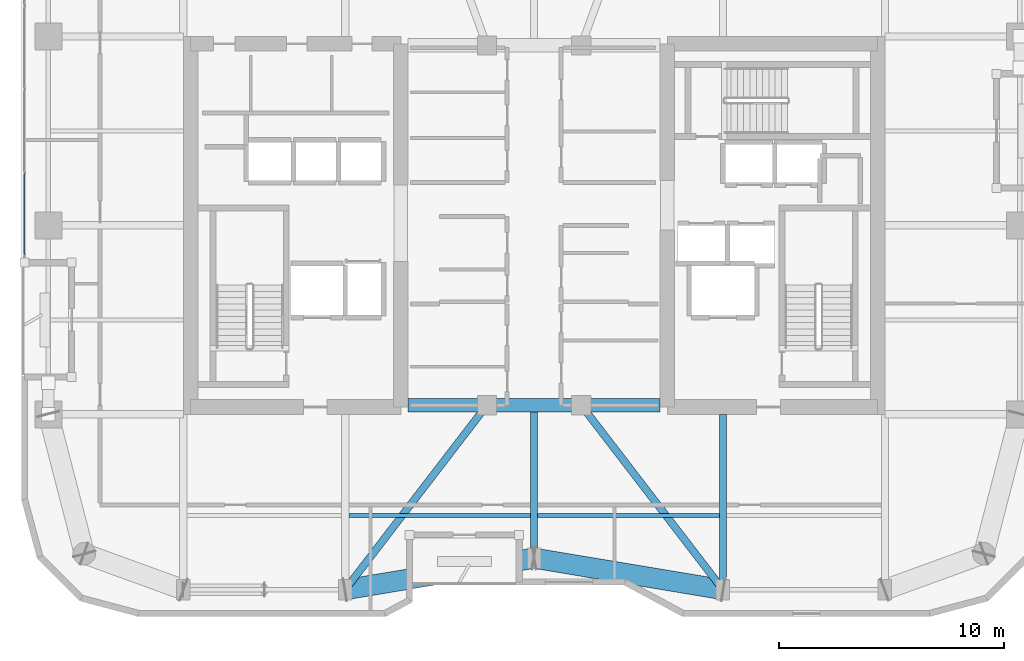
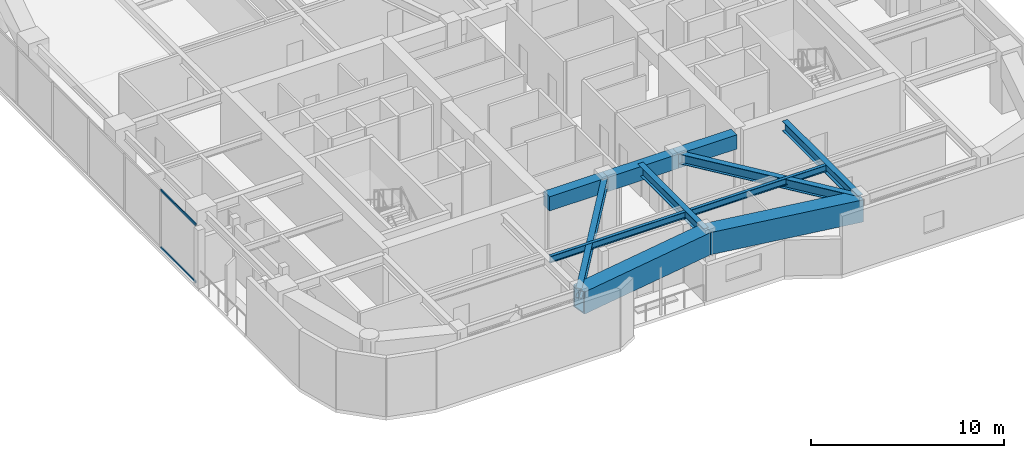
# One storey, part 3 of 21: 11 beams, 2 members, 1 element without a shape of its own.
"""IFC4 building model written with IfcOpenShell, lengths in metres."""

from ifc_helpers import new_model, si_unit, direction, frame, origin, origin_2d, place, context, subcontext, project, spatial, rectangle, hollow_rectangle, i_section, extrude, material, layer, layer_set, material_profile, profile_set, type_object, element, aggregate, save


model = new_model("IFC4")

# Units and contexts
model_context = context("Model", 3, precision=1e-05, world=origin(), true_north=direction((0.0, 1.0)))
body_context = subcontext(model_context, "Body", "Model", "MODEL_VIEW")
ifc_project = project(units=[si_unit("LENGTHUNIT", "METRE"), si_unit("AREAUNIT", "SQUARE_METRE"), si_unit("VOLUMEUNIT", "CUBIC_METRE"), si_unit("PLANEANGLEUNIT", "RADIAN"), si_unit("MASSUNIT", "GRAM", prefix="KILO")], contexts=[model_context])

# Site, building, storey
site_placement = place(None, origin())
site = spatial("IfcSite", under=ifc_project, at=site_placement, CompositionType="ELEMENT")
building_placement = place(site_placement, origin())
building = spatial("IfcBuilding", under=site, at=building_placement, Name="Kiyonajd Concourse Tower", CompositionType="ELEMENT")
storey_placement = place(building_placement, frame((0.0, 0.0, 219.300048828125)))
storey = spatial("IfcBuildingStorey", under=building, at=storey_placement, Name="L55", CompositionType="ELEMENT", Elevation=219.300048828125)

# Beams
ifc_material_1 = material(Name="Concrete C60/75", Category="concrete")
ifc_material_profile_1 = material_profile(ifc_material_1, rectangle(XDim=0.60009765625, YDim=0.89990234375, at=origin_2d()), Name="RCBM-600x900")
ifc_profile_set_1 = profile_set([ifc_material_profile_1], Name="Concrete C60/75")
beam_type_1 = type_object("IfcBeamType", Name="BM-COUP-900", PredefinedType="LINTEL", material=ifc_profile_set_1)
beam_1_placement = place(storey_placement, frame((42.39990234375, 28.0, 3.22998046875), z_axis=(1.0, 0.0, 0.0), x_axis=(0.0, 1.0, 0.0)))
element("IfcBeam", 1, at=beam_1_placement, inside=storey, type_object=beam_type_1, Name="L55 Core Coupling Beam S1", PredefinedType="LINTEL", context=body_context, shape_type="SweptSolid", body=[
    extrude(rectangle(XDim=0.60009765625, YDim=0.89990234375, at=origin_2d()), origin(), (0.0, 0.0, 1.0), 3.5),
])
beam_2_placement = place(storey_placement, frame((45.89990234375, 28.0, 3.22998046875), z_axis=(1.0, 0.0, 0.0), x_axis=(0.0, 1.0, 0.0)))
element("IfcBeam", 2, at=beam_2_placement, inside=storey, type_object=beam_type_1, Name="L55 Core Coupling Beam S2", PredefinedType="LINTEL", context=body_context, shape_type="SweptSolid", body=[
    extrude(rectangle(XDim=0.60009765625, YDim=0.89990234375, at=origin_2d()), origin(), (0.0, 0.0, 1.0), 4.2001953125),
])
beam_3_placement = place(storey_placement, frame((50.10009765625, 28.0, 3.22998046875), z_axis=(1.0, 0.0, 0.0), x_axis=(0.0, 1.0, 0.0)))
element("IfcBeam", 3, at=beam_3_placement, inside=storey, type_object=beam_type_1, Name="L55 Core Coupling Beam S3", PredefinedType="LINTEL", context=body_context, shape_type="SweptSolid", body=[
    extrude(rectangle(XDim=0.60009765625, YDim=0.89990234375, at=origin_2d()), origin(), (0.0, 0.0, 1.0), 3.5),
])
ifc_material_2 = material(Name="Steel ASTM A992 Grade 50", Category="steel")
ifc_material_profile_2 = material_profile(ifc_material_2, i_section(OverallWidth=0.180908203125, OverallDepth=0.4169921875, WebThickness=0.010986328125, FlangeThickness=0.018310546875, at=origin_2d()), Name="W410X85")
ifc_profile_set_2 = profile_set([ifc_material_profile_2], Name="Steel ASTM A992 Grade 50")
beam_type_2 = type_object("IfcBeamType", Name="BM-JST-410", PredefinedType="JOIST", material=ifc_profile_set_2)
for number, where, z_axis, x_axis, name in (
    (4, (39.761962890625, 23.10009765625, 3.471435546875), (1.0, 0.0, 0.0), (0.0, 1.0, 0.0), "L55 Secondary Floor Joist"),
    (5, (48.162109375, 23.10009765625, 3.471435546875), (1.0, 0.0, 0.0), (0.0, 1.0, 0.0), "L55 Secondary Floor Joist"),
):
    element("IfcBeam", number, at=place(storey_placement, frame(where, z_axis=z_axis, x_axis=x_axis)), inside=storey, type_object=beam_type_2, Name=name, PredefinedType="JOIST", context=body_context, shape_type="SweptSolid", body=[
        extrude(i_section(OverallWidth=0.180908203125, OverallDepth=0.4169921875, WebThickness=0.010986328125, FlangeThickness=0.018310546875, at=origin_2d()), origin(), (0.0, 0.0, 1.0), 8.075927734375),
    ])
ifc_material_profile_3 = material_profile(ifc_material_2, i_section(OverallWidth=0.326904296875, OverallDepth=0.6220703125, WebThickness=0.015380859375, FlangeThickness=0.0244140625, at=origin_2d()), Name="W610X195")
ifc_profile_set_3 = profile_set([ifc_material_profile_3], Name="Steel ASTM A992 Grade 50")
beam_type_3 = type_object("IfcBeamType", Name="BM-TWR-610A", PredefinedType="BEAM", material=ifc_profile_set_3)
for number, where, z_axis, x_axis, name in (
    (6, (39.60009765625, 19.800048828125, 3.368896484375), (0.609233709922, 0.792990722956, 0.0), (-0.792990722956, 0.609233709922, 0.0), "L55 Core Tie Girder"),
    (7, (50.10009765625, 28.0, 3.368896484375), (0.609233709922, -0.792990722956, 0.0), (0.792990722956, 0.609233709922, 0.0), "L55 Core Tie Girder"),
):
    element("IfcBeam", number, at=place(storey_placement, frame(where, z_axis=z_axis, x_axis=x_axis)), inside=storey, type_object=beam_type_3, Name=name, PredefinedType="BEAM", context=body_context, shape_type="SweptSolid", body=[
        extrude(i_section(OverallWidth=0.326904296875, OverallDepth=0.6220703125, WebThickness=0.015380859375, FlangeThickness=0.0244140625, at=origin_2d()), origin(), (0.0, 0.0, 1.0), 10.340576171875),
    ])
ifc_material_profile_4 = material_profile(ifc_material_2, i_section(OverallWidth=0.323974609375, OverallDepth=0.611083984375, WebThickness=0.0126953125, FlangeThickness=0.01904296875, at=origin_2d()), Name="W610X155")
ifc_profile_set_4 = profile_set([ifc_material_profile_4], Name="Steel ASTM A992 Grade 50")
beam_type_4 = type_object("IfcBeamType", Name="BM-TWR-610B", PredefinedType="BEAM", material=ifc_profile_set_4)
beam_4_placement = place(storey_placement, frame((56.39990234375, 19.800048828125, 3.37451171875), z_axis=(0.0, 1.0, 0.0), x_axis=(-1.0, 0.0, 0.0)))
element("IfcBeam", 8, at=beam_4_placement, inside=storey, type_object=beam_type_4, Name="L55 South Lease Girder", PredefinedType="BEAM", context=body_context, shape_type="SweptSolid", body=[
    extrude(i_section(OverallWidth=0.323974609375, OverallDepth=0.611083984375, WebThickness=0.0126953125, FlangeThickness=0.01904296875, at=origin_2d()), origin(), (0.0, 0.0, 1.0), 7.800048828125),
])
beam_5_placement = place(storey_placement, frame((48.0, 21.199951171875, 3.37451171875), z_axis=(0.0, 1.0, 0.0), x_axis=(-1.0, 0.0, 0.0)))
element("IfcBeam", 9, at=beam_5_placement, inside=storey, type_object=beam_type_4, Name="L55 South Ribbon Girder", PredefinedType="BEAM", context=body_context, shape_type="SweptSolid", body=[
    extrude(i_section(OverallWidth=0.323974609375, OverallDepth=0.611083984375, WebThickness=0.0126953125, FlangeThickness=0.01904296875, at=origin_2d()), origin(), (0.0, 0.0, 1.0), 6.800048828125),
])
ifc_material_3 = material(Name="Steel ASTM A572 Grade 50", Category="steel")
ifc_material_profile_5 = material_profile(ifc_material_3, hollow_rectangle(XDim=0.89990234375, YDim=1.39990234375, WallThickness=0.070068359375, at=origin_2d()), Name="BOX-1400x900x70")
ifc_profile_set_5 = profile_set([ifc_material_profile_5], Name="Steel ASTM A572 Grade 50")
beam_type_5 = type_object("IfcBeamType", Name="BM-XFER-1400", PredefinedType="BEAM", material=ifc_profile_set_5)
for number, where, z_axis, x_axis, name in (
    (10, (39.60009765625, 19.800048828125, 2.97998046875), (0.986395473479, 0.164389689151, 0.0), (-0.164389689151, 0.986395473479, 0.0), "L55 Perimeter Bundled Tube Spandrel"),
    (11, (48.0, 21.199951171875, 2.97998046875), (0.986395473479, -0.164389689151, 0.0), (0.164389689151, 0.986395473479, 0.0), "L55 Perimeter Bundled Tube Spandrel"),
):
    element("IfcBeam", number, at=place(storey_placement, frame(where, z_axis=z_axis, x_axis=x_axis)), inside=storey, type_object=beam_type_5, Name=name, PredefinedType="BEAM", context=body_context, shape_type="SweptSolid", body=[
        extrude(hollow_rectangle(XDim=0.89990234375, YDim=1.39990234375, WallThickness=0.070068359375, at=origin_2d()), origin(), (0.0, 0.0, 1.0), 8.515869140625),
    ])

# Curtain wall, members
ifc_material_4 = material(Name="Thermally Broken Anodised Aluminium", Category="aluminium")
ifc_layer = layer(ifc_material_4, 0.179931640625)
ifc_layer_set = layer_set([ifc_layer], Name="Thermally Broken Anodised Aluminium")
curtain_wall_type = type_object("IfcCurtainWallType", Name="CW-SYS-04", PredefinedType="NOTDEFINED", material=ifc_layer_set)
curtain_wall_placement = place(storey_placement, origin())
curtain_wall = element("IfcCurtainWall", 12, at=curtain_wall_placement, inside=storey, type_object=curtain_wall_type, Name="L55 Unitised Curtain Wall CW4", PredefinedType="NOTDEFINED")
ifc_material_profile_6 = material_profile(ifc_material_4, hollow_rectangle(XDim=0.06494140625, YDim=0.139892578125, WallThickness=0.00390625, at=origin_2d()), Name="TRAN-65x140")
ifc_profile_set_6 = profile_set([ifc_material_profile_6], Name="Thermally Broken Anodised Aluminium")
member_type = type_object("IfcMemberType", Name="MB-CW-TRAN1", PredefinedType="USERDEFINED", material=ifc_profile_set_6)
member_1_placement = place(storey_placement, frame((25.340087890625, 34.695068359375, 0.032470703125), z_axis=(0.0, 1.0, 0.0), x_axis=(-1.0, 0.0, 0.0)))
member_1 = element("IfcMember", 13, at=member_1_placement, type_object=member_type, Name="CW4 transom 1.1", ObjectType="TRANSOM", PredefinedType="USERDEFINED", context=body_context, shape_type="SweptSolid", body=[
    extrude(hollow_rectangle(XDim=0.06494140625, YDim=0.139892578125, WallThickness=0.00390625, at=origin_2d()), origin(), (0.0, 0.0, 1.0), 3.61279296875),
])
member_2_placement = place(storey_placement, frame((25.340087890625, 34.695068359375, 3.6474609375), z_axis=(0.0, 1.0, 0.0), x_axis=(-1.0, 0.0, 0.0)))
member_2 = element("IfcMember", 14, at=member_2_placement, type_object=member_type, Name="CW4 transom 1.2", ObjectType="TRANSOM", PredefinedType="USERDEFINED", context=body_context, shape_type="SweptSolid", body=[
    extrude(hollow_rectangle(XDim=0.06494140625, YDim=0.139892578125, WallThickness=0.00390625, at=origin_2d()), origin(), (0.0, 0.0, 1.0), 3.61279296875),
])
aggregate(curtain_wall, [member_1, member_2])

save(model, "model.ifc")
